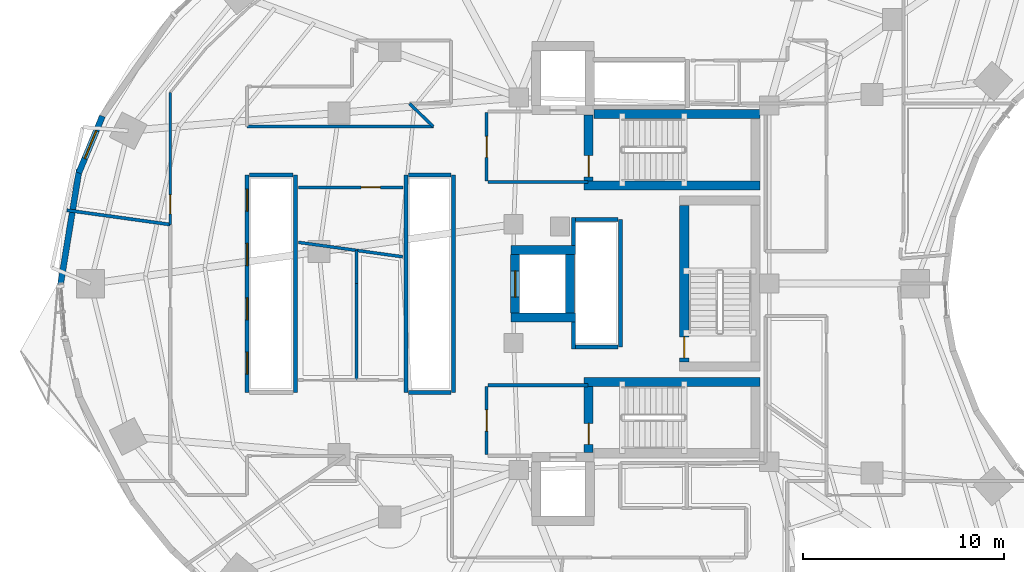
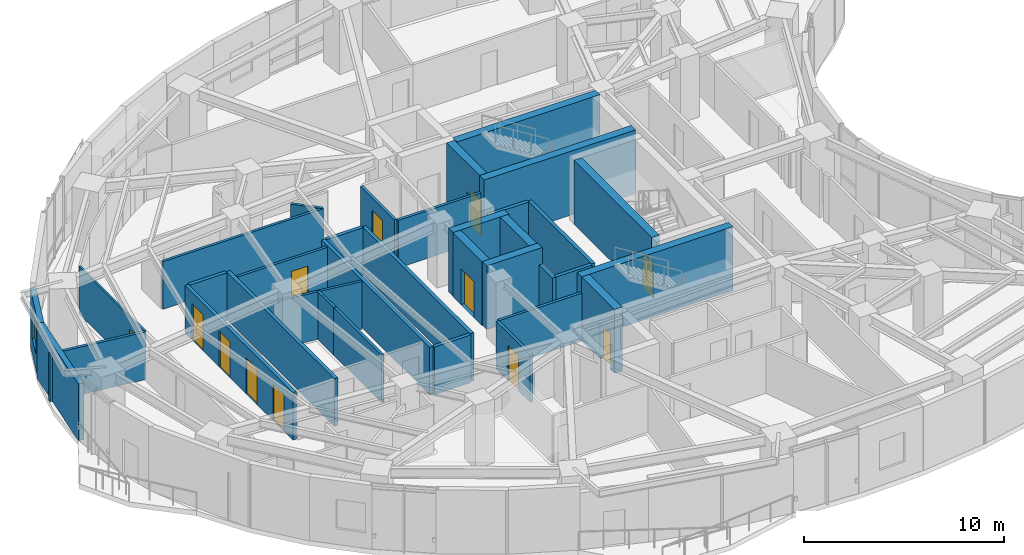
# One storey, part 9 of 16: 37 walls, 12 doors, 1 window, 13 openings.
"""IFC4 building model written with IfcOpenShell, lengths in metres."""

from ifc_helpers import new_model, si_unit, direction, frame, frame_2d, origin, place, context, subcontext, project, spatial, rectangle, extrude, material, layer, layer_set, type_object, element, fill, save


model = new_model("IFC4")

# Units and contexts
model_context = context("Model", 3, precision=1e-05, world=origin(), true_north=direction((0.0, 1.0)))
body_context = subcontext(model_context, "Body", "Model", "MODEL_VIEW")
ifc_project = project(units=[si_unit("LENGTHUNIT", "METRE"), si_unit("AREAUNIT", "SQUARE_METRE"), si_unit("VOLUMEUNIT", "CUBIC_METRE"), si_unit("PLANEANGLEUNIT", "RADIAN"), si_unit("MASSUNIT", "GRAM", prefix="KILO")], contexts=[model_context])

# Site, building, storey
site_placement = place(None, origin())
site = spatial("IfcSite", under=ifc_project, at=site_placement, CompositionType="ELEMENT")
building_placement = place(site_placement, origin())
building = spatial("IfcBuilding", under=site, at=building_placement, Name="Korentha Bioscience Tower", CompositionType="ELEMENT")
storey_placement = place(building_placement, frame((0.0, 0.0, 55.199951171875)))
storey = spatial("IfcBuildingStorey", under=building, at=storey_placement, Name="L12", CompositionType="ELEMENT", Elevation=55.199951171875)

# Wall, opening, door
ifc_material_1 = material(Name="Double-Stud Acoustic Gypsum", Category="gypsum")
ifc_layer_1 = layer(ifc_material_1, 0.14990234375, Name="Double-Stud Acoustic Gypsum")
ifc_layer_set_1 = layer_set([ifc_layer_1], Name="Double-Stud Acoustic Gypsum (IW-L150)")
wall_type_1 = type_object("IfcWallType", Name="Acoustic Laboratory Partition Wall 150", PredefinedType="PARTITIONING", material=ifc_layer_set_1)
wall_1_placement = place(storey_placement, frame((14.159912109375, 31.7900390625, 0.0), z_axis=(0.0, 0.0, 1.0), x_axis=(1.0, 0.0, 0.0)))
wall_1 = element("IfcWall", 1, at=wall_1_placement, inside=storey, type_object=wall_type_1, Name="L12 Staff Kitchenette and Dining Nook 20 Entrance Wall", PredefinedType="PARTITIONING", context=body_context, shape_type="SweptSolid", body=[
    extrude(rectangle(XDim=5.18017578125, YDim=0.14990234375, at=frame_2d((2.590087890625, 0.0))), origin(), (0.0, 0.0, 1.0), 2.91015625),
])
opening_1_placement = place(wall_1_placement, frame((3.112060546875, 0.0, 0.0)))
opening_1 = element("IfcOpeningElement", 2, at=opening_1_placement, cuts=wall_1, Name="Opening ID-10R", PredefinedType="OPENING", context=body_context, shape_type="SweptSolid", body=[
    extrude(rectangle(XDim=0.949951171875, YDim=2.14990234375, at=frame_2d((0.47509765625, 1.074951171875))), frame((0.0, 0.08984375, 0.0), z_axis=(0.0, -1.0, 0.0), x_axis=(1.0, 0.0, 0.0)), (0.0, 0.0, 1.0), 0.1796875),
])
ifc_material_2 = material(Name="Phenolic Laminate Timber Core", Category="wood")
door_type_1 = type_object("IfcDoorType", Name="Laboratory Single Leaf Door 950x2150 Right", OperationType="SINGLE_SWING_RIGHT", PredefinedType="DOOR", material=ifc_material_2)
door_1_placement = place(opening_1_placement, origin())
door_1 = element("IfcDoor", 3, at=door_1_placement, inside=storey, type_object=door_type_1, Name="L12 Staff Kitchenette and Dining Nook 20 Door", OperationType="SINGLE_SWING_RIGHT", OverallHeight=2.14990234375, OverallWidth=0.949951171875, PredefinedType="DOOR", context=body_context, shape_type="SweptSolid", body=[
    extrude(rectangle(XDim=0.949951171875, YDim=2.14990234375, at=frame_2d((0.47509765625, 1.074951171875))), frame((0.0, 0.02490234375, 0.0), z_axis=(0.0, -1.0, 0.0), x_axis=(1.0, 0.0, 0.0)), (0.0, 0.0, 1.0), 0.050048828125),
])
fill(opening_1, door_1)

# Walls
wall_2_placement = place(storey_placement, frame((14.16015625, 29.053466796875, 0.0), z_axis=(0.0, 0.0, 1.0), x_axis=(0.990512548381, -0.137422310779, 0.0)))
element("IfcWall", 4, at=wall_2_placement, inside=storey, type_object=wall_type_1, Name="L12 Interior Partition 028", PredefinedType="PARTITIONING", context=body_context, shape_type="SweptSolid", body=[
    extrude(rectangle(XDim=2.915283203125, YDim=0.14990234375, at=frame_2d((1.45751953125, 0.0))), origin(), (0.0, 0.0, 1.0), 2.91015625),
])
wall_3_placement = place(storey_placement, frame((17.048095703125, 28.652587890625, 0.0), z_axis=(0.0, 0.0, 1.0), x_axis=(0.0, -1.0, 0.0)))
element("IfcWall", 5, at=wall_3_placement, inside=storey, type_object=wall_type_1, Name="L12 Interior Partition 029", PredefinedType="PARTITIONING", context=body_context, shape_type="SweptSolid", body=[
    extrude(rectangle(XDim=1.650390625, YDim=0.14990234375, at=frame_2d((0.8251953125, 0.0))), origin(), (0.0, 0.0, 1.0), 2.91015625),
])
wall_4_placement = place(storey_placement, frame((17.048095703125, 26.997802734375, 0.0), z_axis=(0.0, 0.0, 1.0), x_axis=(0.0, -1.0, 0.0)))
element("IfcWall", 6, at=wall_4_placement, inside=storey, type_object=wall_type_1, Name="L12 Interior Partition 030", PredefinedType="PARTITIONING", context=body_context, shape_type="SweptSolid", body=[
    extrude(rectangle(XDim=4.787841796875, YDim=0.14990234375, at=frame_2d((2.39404296875, 0.0))), origin(), (0.0, 0.0, 1.0), 2.91015625),
])
wall_5_placement = place(storey_placement, frame((17.05810546875, 28.6513671875, 0.0), z_axis=(0.0, 0.0, 1.0), x_axis=(0.99050751053, -0.137458617714, 0.0)))
element("IfcWall", 7, at=wall_5_placement, inside=storey, type_object=wall_type_1, Name="L12 Interior Partition 034", PredefinedType="PARTITIONING", context=body_context, shape_type="SweptSolid", body=[
    extrude(rectangle(XDim=2.3037109375, YDim=0.14990234375, at=frame_2d((1.15185546875, 0.0))), origin(), (0.0, 0.0, 1.0), 2.91015625),
])
wall_6_placement = place(storey_placement, frame((19.67529296875, 35.945068359375, 0.0), z_axis=(0.0, 0.0, 1.0), x_axis=(0.720620963524, -0.693329234152, 0.0)))
element("IfcWall", 8, at=wall_6_placement, inside=storey, type_object=wall_type_1, Name="L12 Interior Partition 091", PredefinedType="PARTITIONING", context=body_context, shape_type="SweptSolid", body=[
    extrude(rectangle(XDim=1.636962890625, YDim=0.14990234375, at=frame_2d((0.818359375, 0.0))), origin(), (0.0, 0.0, 1.0), 2.91015625),
])
wall_7_placement = place(storey_placement, frame((20.85498046875, 34.81005859375, 0.0), z_axis=(0.0, 0.0, 1.0), x_axis=(-1.0, 0.0, 0.0)))
element("IfcWall", 9, at=wall_7_placement, inside=storey, type_object=wall_type_1, Name="L12 Interior Partition 092", PredefinedType="PARTITIONING", context=body_context, shape_type="SweptSolid", body=[
    extrude(rectangle(XDim=9.264892578125, YDim=0.14990234375, at=frame_2d((4.63232421875, 0.0))), origin(), (0.0, 0.0, 1.0), 2.91015625),
])

# Wall, opening, door
ifc_material_3 = material(Name="Fire-Rated Framed Glass", Category="glass")
ifc_layer_2 = layer(ifc_material_3, 0.110107421875, Name="Fire-Rated Framed Glass")
ifc_layer_set_2 = layer_set([ifc_layer_2], Name="Fire-Rated Framed Glass (IW-G110)")
wall_type_2 = type_object("IfcWallType", Name="Demountable Glazed Office Partition 110", PredefinedType="MOVABLE", material=ifc_layer_set_2)
wall_8_placement = place(storey_placement, frame((7.7900390625, 36.501220703125, 0.0), z_axis=(0.0, 0.0, 1.0), x_axis=(0.0, -1.0, 0.0)))
wall_8 = element("IfcWall", 10, at=wall_8_placement, inside=storey, type_object=wall_type_2, Name="L12 Colloquium Huddle Room 19 Entrance Wall", PredefinedType="MOVABLE", context=body_context, shape_type="SweptSolid", body=[
    extrude(rectangle(XDim=6.5537109375, YDim=0.110107421875, at=frame_2d((3.27685546875, 0.0))), origin(), (0.0, 0.0, 1.0), 2.91015625),
])
opening_2_placement = place(wall_8_placement, frame((5.083251953125, 0.0, 0.0)))
opening_2 = element("IfcOpeningElement", 11, at=opening_2_placement, cuts=wall_8, Name="Opening ID-10L", PredefinedType="OPENING", context=body_context, shape_type="SweptSolid", body=[
    extrude(rectangle(XDim=0.949951171875, YDim=2.14990234375, at=frame_2d((0.47509765625, 1.074951171875))), frame((0.0, 0.06982421875, 0.0), z_axis=(0.0, -1.0, 0.0), x_axis=(1.0, 0.0, 0.0)), (0.0, 0.0, 1.0), 0.139892578125),
])
door_type_2 = type_object("IfcDoorType", Name="Laboratory Single Leaf Door 950x2150 Left", OperationType="SINGLE_SWING_LEFT", PredefinedType="DOOR", material=ifc_material_2)
door_2_placement = place(opening_2_placement, origin())
door_2 = element("IfcDoor", 12, at=door_2_placement, inside=storey, type_object=door_type_2, Name="L12 Colloquium Huddle Room 19 Door", OperationType="SINGLE_SWING_LEFT", OverallHeight=2.14990234375, OverallWidth=0.949951171875, PredefinedType="DOOR", context=body_context, shape_type="SweptSolid", body=[
    extrude(rectangle(XDim=0.949951171875, YDim=2.14990234375, at=frame_2d((0.47509765625, 1.074951171875))), frame((0.0, 0.02490234375, 0.0), z_axis=(0.0, -1.0, 0.0), x_axis=(1.0, 0.0, 0.0)), (0.0, 0.0, 1.0), 0.050048828125),
])
fill(opening_2, door_2)

ifc_material_4 = material(Name="Gypsum-Clad Steel Stud", Category="steel")
ifc_layer_3 = layer(ifc_material_4, 0.159912109375, Name="Gypsum-Clad Steel Stud")
ifc_layer_set_3 = layer_set([ifc_layer_3], Name="Gypsum-Clad Steel Stud (IW-C160)")
wall_type_3 = type_object("IfcWallType", Name="Fire-Rated Corridor Partition Wall 160", PredefinedType="PARTITIONING", material=ifc_layer_set_3)
wall_9_placement = place(storey_placement, frame((23.5, 32.10009765625, 0.0), z_axis=(0.0, 0.0, 1.0), x_axis=(0.0, 1.0, 0.0)))
wall_9 = element("IfcWall", 13, at=wall_9_placement, inside=storey, type_object=wall_type_3, Name="L12 FFLN-CW Rated Enclosure Wall", PredefinedType="PARTITIONING", context=body_context, shape_type="SweptSolid", body=[
    extrude(rectangle(XDim=3.39990234375, YDim=0.159912109375, at=frame_2d((1.699951171875, 0.0))), origin(), (0.0, 0.0, 1.0), 2.91015625),
])
opening_3_placement = place(wall_9_placement, frame((1.175048828125, 0.0, 0.0)))
opening_3 = element("IfcOpeningElement", 14, at=opening_3_placement, cuts=wall_9, Name="Opening FD-90L", PredefinedType="OPENING", context=body_context, shape_type="SweptSolid", body=[
    extrude(rectangle(XDim=1.050048828125, YDim=2.14990234375, at=frame_2d((0.52490234375, 1.074951171875))), frame((0.0, 0.0947265625, 0.0), z_axis=(0.0, -1.0, 0.0), x_axis=(1.0, 0.0, 0.0)), (0.0, 0.0, 1.0), 0.189697265625),
])
ifc_material_5 = material(Name="Powder-Coated Fire-Rated Steel", Category="steel")
door_type_3 = type_object("IfcDoorType", Name="Stairwell Fire Exit Door 1050x2150 Left", OperationType="SINGLE_SWING_LEFT", PredefinedType="DOOR", material=ifc_material_5)
door_3_placement = place(opening_3_placement, origin())
door_3 = element("IfcDoor", 15, at=door_3_placement, inside=storey, type_object=door_type_3, Name="L12 North Firefighting Lobby Door", OperationType="SINGLE_SWING_LEFT", OverallHeight=2.14990234375, OverallWidth=1.050048828125, PredefinedType="DOOR", context=body_context, shape_type="SweptSolid", body=[
    extrude(rectangle(XDim=1.050048828125, YDim=2.14990234375, at=frame_2d((0.52490234375, 1.074951171875))), frame((0.0, 0.02490234375, 0.0), z_axis=(0.0, -1.0, 0.0), x_axis=(1.0, 0.0, 0.0)), (0.0, 0.0, 1.0), 0.050048828125),
])
fill(opening_3, door_3)

wall_10_placement = place(storey_placement, frame((23.5, 18.5, 0.0), z_axis=(0.0, 0.0, 1.0), x_axis=(0.0, 1.0, 0.0)))
wall_10 = element("IfcWall", 16, at=wall_10_placement, inside=storey, type_object=wall_type_3, Name="L12 FFLS-CW Rated Enclosure Wall", PredefinedType="PARTITIONING", context=body_context, shape_type="SweptSolid", body=[
    extrude(rectangle(XDim=3.39990234375, YDim=0.159912109375, at=frame_2d((1.699951171875, 0.0))), origin(), (0.0, 0.0, 1.0), 2.91015625),
])
opening_4_placement = place(wall_10_placement, frame((1.175048828125, 0.0, 0.0)))
opening_4 = element("IfcOpeningElement", 17, at=opening_4_placement, cuts=wall_10, Name="Opening FD-90L", PredefinedType="OPENING", context=body_context, shape_type="SweptSolid", body=[
    extrude(rectangle(XDim=1.050048828125, YDim=2.14990234375, at=frame_2d((0.52490234375, 1.074951171875))), frame((0.0, 0.0947265625, 0.0), z_axis=(0.0, -1.0, 0.0), x_axis=(1.0, 0.0, 0.0)), (0.0, 0.0, 1.0), 0.189697265625),
])
door_4_placement = place(opening_4_placement, origin())
door_4 = element("IfcDoor", 18, at=door_4_placement, inside=storey, type_object=door_type_3, Name="L12 South Firefighting Lobby Door", OperationType="SINGLE_SWING_LEFT", OverallHeight=2.14990234375, OverallWidth=1.050048828125, PredefinedType="DOOR", context=body_context, shape_type="SweptSolid", body=[
    extrude(rectangle(XDim=1.050048828125, YDim=2.14990234375, at=frame_2d((0.52490234375, 1.074951171875))), frame((0.0, 0.02490234375, 0.0), z_axis=(0.0, -1.0, 0.0), x_axis=(1.0, 0.0, 0.0)), (0.0, 0.0, 1.0), 0.050048828125),
])
fill(opening_4, door_4)

# Walls
for number, where, z_axis, x_axis, name in (
    (19, (23.580078125, 32.050048828125, 0.0), (0.0, 0.0, 1.0), (1.0, 0.0, 0.0), "L12 Firefighting Lobby Return Wall FFLN-S"),
    (20, (23.580078125, 21.949951171875, 0.0), (0.0, 0.0, 1.0), (1.0, 0.0, 0.0), "L12 Firefighting Lobby Return Wall FFLS-N"),
):
    element("IfcWall", number, at=place(storey_placement, frame(where, z_axis=z_axis, x_axis=x_axis)), inside=storey, type_object=wall_type_3, Name=name, PredefinedType="PARTITIONING", context=body_context, shape_type="SweptSolid", body=[
        extrude(rectangle(XDim=4.969970703125, YDim=0.159912109375, at=frame_2d((2.48486328125, 0.0))), origin(), (0.0, 0.0, 1.0), 2.91015625),
    ])
wall_11_placement = place(storey_placement, frame((2.653076171875, 30.650146484375, 0.0), z_axis=(0.0, 0.0, 1.0), x_axis=(0.990513820913, -0.137413138313, 0.0)))
element("IfcWall", 21, at=wall_11_placement, inside=storey, type_object=wall_type_3, Name="L12 Interior Partition 031", PredefinedType="PARTITIONING", context=body_context, shape_type="SweptSolid", body=[
    extrude(rectangle(XDim=5.186279296875, YDim=0.159912109375, at=frame_2d((2.59326171875, 0.0))), origin(), (0.0, 0.0, 1.0), 2.91015625),
])

# Wall, opening, window
ifc_material_6 = material(Name="Honed Limestone Precast Concrete C40", Category="masonry")
ifc_layer_4 = layer(ifc_material_6, 0.300048828125, Name="Honed Limestone Precast Concrete C40")
ifc_layer_set_4 = layer_set([ifc_layer_4], Name="Honed Limestone Precast Concrete C40 (EW-ST300)")
wall_type_4 = type_object("IfcWallType", Name="Honed Limestone Cavity Spandrel Wall 300", PredefinedType="STANDARD", material=ifc_layer_set_4)
wall_12_placement = place(storey_placement, frame((4.4169921875, 35.322998046875, 0.0), z_axis=(0.0, 0.0, 1.0), x_axis=(-0.385358473275, -0.92276695166, 0.0)))
wall_12 = element("IfcWall", 22, at=wall_12_placement, inside=storey, type_object=wall_type_4, Name="L12 Honed Limestone Spandrel Wall 16", PredefinedType="STANDARD", context=body_context, shape_type="SweptSolid", body=[
    extrude(rectangle(XDim=3.0556640625, YDim=0.300048828125, at=frame_2d((1.52783203125, 0.0))), origin(), (0.0, 0.0, 1.0), 3.469970703125),
])
opening_5_placement = place(wall_12_placement, frame((0.777587890625, 0.0, 0.949951171875)))
opening_5 = element("IfcOpeningElement", 23, at=opening_5_placement, cuts=wall_12, Name="Opening WN-02", PredefinedType="OPENING", context=body_context, shape_type="SweptSolid", body=[
    extrude(rectangle(XDim=1.5, YDim=1.800048828125, at=frame_2d((0.75, 0.89990234375))), frame((0.0, 0.1650390625, 0.0), z_axis=(0.0, -1.0, 0.0), x_axis=(1.0, 0.0, 0.0)), (0.0, 0.0, 1.0), 0.329833984375),
])
ifc_material_7 = material(Name="Thermally Broken Aluminium Triple Glazing", Category="aluminium")
window_type = type_object("IfcWindowType", Name="Acoustic Operable Office Window 1500x1800", PartitioningType="DOUBLE_PANEL_VERTICAL", PredefinedType="WINDOW", material=ifc_material_7)
window_placement = place(opening_5_placement, origin())
window = element("IfcWindow", 24, at=window_placement, inside=storey, type_object=window_type, Name="L12 Facade Window 16", OverallHeight=1.800048828125, OverallWidth=1.5, PartitioningType="DOUBLE_PANEL_VERTICAL", PredefinedType="WINDOW", context=body_context, shape_type="SweptSolid", body=[
    extrude(rectangle(XDim=1.5, YDim=1.800048828125, at=frame_2d((0.75, 0.89990234375))), frame((0.0, 0.030029296875, 0.0), z_axis=(0.0, -1.0, 0.0), x_axis=(1.0, 0.0, 0.0)), (0.0, 0.0, 1.0), 0.06005859375),
])
fill(opening_5, window)

# Wall
wall_13_placement = place(storey_placement, frame((3.26611328125, 32.677001953125, 0.0), z_axis=(0.0, 0.0, 1.0), x_axis=(-0.160712446639, -0.987001271273, 0.0)))
element("IfcWall", 25, at=wall_13_placement, inside=storey, type_object=wall_type_4, Name="L12 Limestone Perimeter Closure Wall 17", PredefinedType="STANDARD", context=body_context, shape_type="SweptSolid", body=[
    extrude(rectangle(XDim=5.854736328125, YDim=0.300048828125, at=frame_2d((2.92724609375, 0.0))), origin(), (0.0, 0.0, 1.0), 3.469970703125),
])

# Wall, openings, doors
ifc_material_8 = material(Name="Autoclaved Aerated Concrete Block C25", Category="concrete")
ifc_layer_5 = layer(ifc_material_8, 0.199951171875, Name="Autoclaved Aerated Concrete Block C25")
ifc_layer_set_5 = layer_set([ifc_layer_5], Name="Autoclaved Aerated Concrete Block C25 (IW-S200)")
wall_type_5 = type_object("IfcWallType", Name="Lift and Riser Shaft Enclosure Wall 200", PredefinedType="PARTITIONING", material=ifc_layer_set_5)
wall_14_placement = place(storey_placement, frame((11.60009765625, 21.60009765625, 0.0), z_axis=(0.0, 0.0, 1.0), x_axis=(0.0, 1.0, 0.0)))
wall_14 = element("IfcWall", 26, at=wall_14_placement, inside=storey, type_object=wall_type_5, Name="L12 Lift Bank LOW Shaft Wall -X", PredefinedType="PARTITIONING", context=body_context, shape_type="SweptSolid", body=[
    extrude(rectangle(XDim=10.7998046875, YDim=0.199951171875, at=frame_2d((5.39990234375, 0.0))), origin(), (0.0, 0.0, 1.0), 2.91015625),
])
opening_6_placement = place(wall_14_placement, frame((0.89990234375, 0.0, 0.0)))
opening_6 = element("IfcOpeningElement", 27, at=opening_6_placement, cuts=wall_14, Name="Opening LD-11", PredefinedType="OPENING", context=body_context, shape_type="SweptSolid", body=[
    extrude(rectangle(XDim=1.10009765625, YDim=2.199951171875, at=frame_2d((0.550048828125, 1.10009765625))), frame((0.0, 0.11474609375, 0.0), z_axis=(0.0, -1.0, 0.0), x_axis=(1.0, 0.0, 0.0)), (0.0, 0.0, 1.0), 0.229736328125),
])
opening_7_placement = place(wall_14_placement, frame((3.60009765625, 0.0, 0.0)))
opening_7 = element("IfcOpeningElement", 28, at=opening_7_placement, cuts=wall_14, Name="Opening LD-11", PredefinedType="OPENING", context=body_context, shape_type="SweptSolid", body=[
    extrude(rectangle(XDim=1.10009765625, YDim=2.199951171875, at=frame_2d((0.550048828125, 1.10009765625))), frame((0.0, 0.11474609375, 0.0), z_axis=(0.0, -1.0, 0.0), x_axis=(1.0, 0.0, 0.0)), (0.0, 0.0, 1.0), 0.229736328125),
])
opening_8_placement = place(wall_14_placement, frame((6.300048828125, 0.0, 0.0)))
opening_8 = element("IfcOpeningElement", 29, at=opening_8_placement, cuts=wall_14, Name="Opening LD-11", PredefinedType="OPENING", context=body_context, shape_type="SweptSolid", body=[
    extrude(rectangle(XDim=1.10009765625, YDim=2.199951171875, at=frame_2d((0.550048828125, 1.10009765625))), frame((0.0, 0.11474609375, 0.0), z_axis=(0.0, -1.0, 0.0), x_axis=(1.0, 0.0, 0.0)), (0.0, 0.0, 1.0), 0.229736328125),
])
opening_9_placement = place(wall_14_placement, frame((9.0, 0.0, 0.0)))
opening_9 = element("IfcOpeningElement", 30, at=opening_9_placement, cuts=wall_14, Name="Opening LD-11", PredefinedType="OPENING", context=body_context, shape_type="SweptSolid", body=[
    extrude(rectangle(XDim=1.10009765625, YDim=2.199951171875, at=frame_2d((0.550048828125, 1.10009765625))), frame((0.0, 0.11474609375, 0.0), z_axis=(0.0, -1.0, 0.0), x_axis=(1.0, 0.0, 0.0)), (0.0, 0.0, 1.0), 0.229736328125),
])
ifc_material_9 = material(Name="Brushed Stainless Steel 304", Category="steel")
door_type_4 = type_object("IfcDoorType", Name="Passenger Lift Sliding Landing Door 1100x2200", OperationType="DOUBLE_DOOR_SLIDING", PredefinedType="DOOR", material=ifc_material_9)
door_5_placement = place(opening_6_placement, origin())
door_5 = element("IfcDoor", 31, at=door_5_placement, inside=storey, type_object=door_type_4, Name="L12 PL-L1 Sliding Lift Landing Door", OperationType="DOUBLE_DOOR_SLIDING", OverallHeight=2.199951171875, OverallWidth=1.10009765625, PredefinedType="DOOR", context=body_context, shape_type="SweptSolid", body=[
    extrude(rectangle(XDim=1.10009765625, YDim=2.199951171875, at=frame_2d((0.550048828125, 1.10009765625))), frame((0.0, 0.02490234375, 0.0), z_axis=(0.0, -1.0, 0.0), x_axis=(1.0, 0.0, 0.0)), (0.0, 0.0, 1.0), 0.050048828125),
])
fill(opening_6, door_5)
door_6_placement = place(opening_7_placement, origin())
door_6 = element("IfcDoor", 32, at=door_6_placement, inside=storey, type_object=door_type_4, Name="L12 PL-L2 Sliding Lift Landing Door", OperationType="DOUBLE_DOOR_SLIDING", OverallHeight=2.199951171875, OverallWidth=1.10009765625, PredefinedType="DOOR", context=body_context, shape_type="SweptSolid", body=[
    extrude(rectangle(XDim=1.10009765625, YDim=2.199951171875, at=frame_2d((0.550048828125, 1.10009765625))), frame((0.0, 0.02490234375, 0.0), z_axis=(0.0, -1.0, 0.0), x_axis=(1.0, 0.0, 0.0)), (0.0, 0.0, 1.0), 0.050048828125),
])
fill(opening_7, door_6)
door_7_placement = place(opening_8_placement, origin())
door_7 = element("IfcDoor", 33, at=door_7_placement, inside=storey, type_object=door_type_4, Name="L12 PL-L3 Sliding Lift Landing Door", OperationType="DOUBLE_DOOR_SLIDING", OverallHeight=2.199951171875, OverallWidth=1.10009765625, PredefinedType="DOOR", context=body_context, shape_type="SweptSolid", body=[
    extrude(rectangle(XDim=1.10009765625, YDim=2.199951171875, at=frame_2d((0.550048828125, 1.10009765625))), frame((0.0, 0.02490234375, 0.0), z_axis=(0.0, -1.0, 0.0), x_axis=(1.0, 0.0, 0.0)), (0.0, 0.0, 1.0), 0.050048828125),
])
fill(opening_8, door_7)
door_8_placement = place(opening_9_placement, origin())
door_8 = element("IfcDoor", 34, at=door_8_placement, inside=storey, type_object=door_type_4, Name="L12 PL-L4 Sliding Lift Landing Door", OperationType="DOUBLE_DOOR_SLIDING", OverallHeight=2.199951171875, OverallWidth=1.10009765625, PredefinedType="DOOR", context=body_context, shape_type="SweptSolid", body=[
    extrude(rectangle(XDim=1.10009765625, YDim=2.199951171875, at=frame_2d((0.550048828125, 1.10009765625))), frame((0.0, 0.02490234375, 0.0), z_axis=(0.0, -1.0, 0.0), x_axis=(1.0, 0.0, 0.0)), (0.0, 0.0, 1.0), 0.050048828125),
])
fill(opening_9, door_8)

# Walls
wall_15_placement = place(storey_placement, frame((14.0, 21.60009765625, 0.0), z_axis=(0.0, 0.0, 1.0), x_axis=(0.0, 1.0, 0.0)))
element("IfcWall", 35, at=wall_15_placement, inside=storey, type_object=wall_type_5, Name="L12 Lift Bank LOW Shaft Wall +X", PredefinedType="PARTITIONING", context=body_context, shape_type="SweptSolid", body=[
    extrude(rectangle(XDim=10.7998046875, YDim=0.199951171875, at=frame_2d((5.39990234375, 0.0))), origin(), (0.0, 0.0, 1.0), 2.91015625),
])
wall_16_placement = place(storey_placement, frame((11.719970703125, 32.39990234375, 0.0), z_axis=(0.0, 0.0, 1.0), x_axis=(1.0, 0.0, 0.0)))
element("IfcWall", 36, at=wall_16_placement, inside=storey, type_object=wall_type_5, Name="L12 Lift Bank LOW Shaft Wall +Y", PredefinedType="PARTITIONING", context=body_context, shape_type="SweptSolid", body=[
    extrude(rectangle(XDim=2.159912109375, YDim=0.199951171875, at=frame_2d((1.080078125, 0.0))), origin(), (0.0, 0.0, 1.0), 2.91015625),
])
for number, where, z_axis, x_axis, name in (
    (37, (19.5, 21.60009765625, 0.0), (0.0, 0.0, 1.0), (0.0, 1.0, 0.0), "L12 Lift Bank MID Shaft Wall -X"),
    (38, (21.85009765625, 21.60009765625, 0.0), (0.0, 0.0, 1.0), (0.0, 1.0, 0.0), "L12 Lift Bank MID Shaft Wall +X"),
):
    element("IfcWall", number, at=place(storey_placement, frame(where, z_axis=z_axis, x_axis=x_axis)), inside=storey, type_object=wall_type_5, Name=name, PredefinedType="PARTITIONING", context=body_context, shape_type="SweptSolid", body=[
        extrude(rectangle(XDim=10.7998046875, YDim=0.199951171875, at=frame_2d((5.39990234375, 0.0))), origin(), (0.0, 0.0, 1.0), 2.91015625),
    ])
for number, where, z_axis, x_axis, name in (
    (39, (19.6201171875, 21.60009765625, 0.0), (0.0, 0.0, 1.0), (1.0, 0.0, 0.0), "L12 Lift Bank MID Shaft Wall -Y"),
    (40, (19.6201171875, 32.39990234375, 0.0), (0.0, 0.0, 1.0), (1.0, 0.0, 0.0), "L12 Lift Bank MID Shaft Wall +Y"),
):
    element("IfcWall", number, at=place(storey_placement, frame(where, z_axis=z_axis, x_axis=x_axis)), inside=storey, type_object=wall_type_5, Name=name, PredefinedType="PARTITIONING", context=body_context, shape_type="SweptSolid", body=[
        extrude(rectangle(XDim=2.10986328125, YDim=0.199951171875, at=frame_2d((1.054931640625, 0.0))), origin(), (0.0, 0.0, 1.0), 2.91015625),
    ])
wall_17_placement = place(storey_placement, frame((27.830078125, 23.75, 0.0), z_axis=(0.0, 0.0, 1.0), x_axis=(0.0, 1.0, 0.0)))
element("IfcWall", 41, at=wall_17_placement, inside=storey, type_object=wall_type_5, Name="L12 Lift Bank HIGH Shaft Wall -XS", PredefinedType="PARTITIONING", context=body_context, shape_type="SweptSolid", body=[
    extrude(rectangle(XDim=1.341064453125, YDim=0.199951171875, at=frame_2d((0.67041015625, 0.0))), origin(), (0.0, 0.0, 1.0), 2.91015625),
])
wall_18_placement = place(storey_placement, frame((27.830078125, 28.908935546875, 0.0), z_axis=(0.0, 0.0, 1.0), x_axis=(0.0, 1.0, 0.0)))
element("IfcWall", 42, at=wall_18_placement, inside=storey, type_object=wall_type_5, Name="L12 Lift Bank HIGH Shaft Wall -XN", PredefinedType="PARTITIONING", context=body_context, shape_type="SweptSolid", body=[
    extrude(rectangle(XDim=1.39111328125, YDim=0.199951171875, at=frame_2d((0.695556640625, 0.0))), origin(), (0.0, 0.0, 1.0), 2.91015625),
])
wall_19_placement = place(storey_placement, frame((30.14990234375, 23.85009765625, 0.0), z_axis=(0.0, 0.0, 1.0), x_axis=(0.0, 1.0, 0.0)))
element("IfcWall", 43, at=wall_19_placement, inside=storey, type_object=wall_type_5, Name="L12 Lift Bank HIGH Shaft Wall +X", PredefinedType="PARTITIONING", context=body_context, shape_type="SweptSolid", body=[
    extrude(rectangle(XDim=6.349853515625, YDim=0.199951171875, at=frame_2d((3.1748046875, 0.0))), origin(), (0.0, 0.0, 1.0), 2.91015625),
])
for number, where, z_axis, x_axis, name in (
    (44, (27.93408203125, 23.85009765625, 0.0), (0.0, 0.0, 1.0), (1.0, 0.0, 0.0), "L12 Lift Bank HIGH Shaft Wall -Y"),
    (45, (27.93408203125, 30.199951171875, 0.0), (0.0, 0.0, 1.0), (1.0, 0.0, 0.0), "L12 Lift Bank HIGH Shaft Wall +Y"),
):
    element("IfcWall", number, at=place(storey_placement, frame(where, z_axis=z_axis, x_axis=x_axis)), inside=storey, type_object=wall_type_5, Name=name, PredefinedType="PARTITIONING", context=body_context, shape_type="SweptSolid", body=[
        extrude(rectangle(XDim=2.095947265625, YDim=0.199951171875, at=frame_2d((1.0478515625, 0.0))), origin(), (0.0, 0.0, 1.0), 2.91015625),
    ])
ifc_material_10 = material(Name="Concrete C80", Category="concrete")
ifc_layer_6 = layer(ifc_material_10, 0.449951171875, Name="Concrete C80")
ifc_layer_set_6 = layer_set([ifc_layer_6], Name="Concrete C80 (CW-C80)")
wall_type_6 = type_object("IfcWallType", Name="Lower Core Shear Wall 450", PredefinedType="SHEAR", material=ifc_layer_set_6)
wall_20_placement = place(storey_placement, frame((28.85205078125, 35.425048828125, 0.0), z_axis=(0.0, 0.0, 1.0), x_axis=(1.0, 0.0, 0.0)))
element("IfcWall", 46, at=wall_20_placement, inside=storey, type_object=wall_type_6, Name="L12 Core Shear Wall ST1-N", PredefinedType="SHEAR", context=body_context, shape_type="SweptSolid", body=[
    extrude(rectangle(XDim=8.248046875, YDim=0.449951171875, at=frame_2d((4.1240234375, 0.0))), origin(), (0.0, 0.0, 1.0), 3.900146484375),
])
wall_21_placement = place(storey_placement, frame((28.35009765625, 31.875, 0.0), z_axis=(0.0, 0.0, 1.0), x_axis=(1.0, 0.0, 0.0)))
element("IfcWall", 47, at=wall_21_placement, inside=storey, type_object=wall_type_6, Name="L12 Core Shear Wall ST1-S", PredefinedType="SHEAR", context=body_context, shape_type="SweptSolid", body=[
    extrude(rectangle(XDim=8.75, YDim=0.449951171875, at=frame_2d((4.375, 0.0))), origin(), (0.0, 0.0, 1.0), 3.900146484375),
])

# Wall, opening, door
wall_22_placement = place(storey_placement, frame((28.574951171875, 32.110107421875, 0.0), z_axis=(0.0, 0.0, 1.0), x_axis=(0.0, 1.0, 0.0)))
wall_22 = element("IfcWall", 48, at=wall_22_placement, inside=storey, type_object=wall_type_6, Name="L12 Core Shear Wall ST1-W", PredefinedType="SHEAR", context=body_context, shape_type="SweptSolid", body=[
    extrude(rectangle(XDim=3.282958984375, YDim=0.449951171875, at=frame_2d((1.6416015625, 0.0))), origin(), (0.0, 0.0, 1.0), 3.900146484375),
])
opening_10_placement = place(wall_22_placement, frame((0.199951171875, 0.0, 0.0)))
opening_10 = element("IfcOpeningElement", 49, at=opening_10_placement, cuts=wall_22, Name="Opening FD-90L", PredefinedType="OPENING", context=body_context, shape_type="SweptSolid", body=[
    extrude(rectangle(XDim=1.050048828125, YDim=2.14990234375, at=frame_2d((0.52490234375, 1.074951171875))), frame((0.0, 0.23974609375, 0.0), z_axis=(0.0, -1.0, 0.0), x_axis=(1.0, 0.0, 0.0)), (0.0, 0.0, 1.0), 0.479736328125),
])
door_9_placement = place(opening_10_placement, origin())
door_9 = element("IfcDoor", 50, at=door_9_placement, inside=storey, type_object=door_type_3, Name="L12 ST-1 Fire Exit Stair Door", OperationType="SINGLE_SWING_LEFT", OverallHeight=2.14990234375, OverallWidth=1.050048828125, PredefinedType="DOOR", context=body_context, shape_type="SweptSolid", body=[
    extrude(rectangle(XDim=1.050048828125, YDim=2.14990234375, at=frame_2d((0.52490234375, 1.074951171875))), frame((0.0, 0.02490234375, 0.0), z_axis=(0.0, -1.0, 0.0), x_axis=(1.0, 0.0, 0.0)), (0.0, 0.0, 1.0), 0.050048828125),
])
fill(opening_10, door_9)

# Wall
wall_23_placement = place(storey_placement, frame((28.35009765625, 22.125, 0.0), z_axis=(0.0, 0.0, 1.0), x_axis=(1.0, 0.0, 0.0)))
element("IfcWall", 51, at=wall_23_placement, inside=storey, type_object=wall_type_6, Name="L12 Core Shear Wall ST2-N", PredefinedType="SHEAR", context=body_context, shape_type="SweptSolid", body=[
    extrude(rectangle(XDim=8.75, YDim=0.449951171875, at=frame_2d((4.375, 0.0))), origin(), (0.0, 0.0, 1.0), 3.900146484375),
])

# Wall, opening, door
wall_24_placement = place(storey_placement, frame((28.574951171875, 18.60693359375, 0.0), z_axis=(0.0, 0.0, 1.0), x_axis=(0.0, 1.0, 0.0)))
wall_24 = element("IfcWall", 52, at=wall_24_placement, inside=storey, type_object=wall_type_6, Name="L12 Core Shear Wall ST2-W", PredefinedType="SHEAR", context=body_context, shape_type="SweptSolid", body=[
    extrude(rectangle(XDim=3.282958984375, YDim=0.449951171875, at=frame_2d((1.6416015625, 0.0))), origin(), (0.0, 0.0, 1.0), 3.900146484375),
])
opening_11_placement = place(wall_24_placement, frame((0.403076171875, 0.0, 0.0)))
opening_11 = element("IfcOpeningElement", 53, at=opening_11_placement, cuts=wall_24, Name="Opening FD-90L", PredefinedType="OPENING", context=body_context, shape_type="SweptSolid", body=[
    extrude(rectangle(XDim=1.050048828125, YDim=2.14990234375, at=frame_2d((0.52490234375, 1.074951171875))), frame((0.0, 0.23974609375, 0.0), z_axis=(0.0, -1.0, 0.0), x_axis=(1.0, 0.0, 0.0)), (0.0, 0.0, 1.0), 0.479736328125),
])
door_10_placement = place(opening_11_placement, origin())
door_10 = element("IfcDoor", 54, at=door_10_placement, inside=storey, type_object=door_type_3, Name="L12 ST-2 Fire Exit Stair Door", OperationType="SINGLE_SWING_LEFT", OverallHeight=2.14990234375, OverallWidth=1.050048828125, PredefinedType="DOOR", context=body_context, shape_type="SweptSolid", body=[
    extrude(rectangle(XDim=1.050048828125, YDim=2.14990234375, at=frame_2d((0.52490234375, 1.074951171875))), frame((0.0, 0.02490234375, 0.0), z_axis=(0.0, -1.0, 0.0), x_axis=(1.0, 0.0, 0.0)), (0.0, 0.0, 1.0), 0.050048828125),
])
fill(opening_11, door_10)

wall_25_placement = place(storey_placement, frame((33.324951171875, 23.110107421875, 0.0), z_axis=(0.0, 0.0, 1.0), x_axis=(0.0, 1.0, 0.0)))
wall_25 = element("IfcWall", 55, at=wall_25_placement, inside=storey, type_object=wall_type_6, Name="L12 Core Shear Wall ST3-W", PredefinedType="SHEAR", context=body_context, shape_type="SweptSolid", body=[
    extrude(rectangle(XDim=7.77978515625, YDim=0.449951171875, at=frame_2d((3.889892578125, 0.0))), origin(), (0.0, 0.0, 1.0), 3.900146484375),
])
opening_12_placement = place(wall_25_placement, frame((0.199951171875, 0.0, 0.0)))
opening_12 = element("IfcOpeningElement", 56, at=opening_12_placement, cuts=wall_25, Name="Opening FD-90L", PredefinedType="OPENING", context=body_context, shape_type="SweptSolid", body=[
    extrude(rectangle(XDim=1.050048828125, YDim=2.14990234375, at=frame_2d((0.52490234375, 1.074951171875))), frame((0.0, 0.23974609375, 0.0), z_axis=(0.0, -1.0, 0.0), x_axis=(1.0, 0.0, 0.0)), (0.0, 0.0, 1.0), 0.479736328125),
])
door_11_placement = place(opening_12_placement, origin())
door_11 = element("IfcDoor", 57, at=door_11_placement, inside=storey, type_object=door_type_3, Name="L12 ST-3 Fire Exit Stair Door", OperationType="SINGLE_SWING_LEFT", OverallHeight=2.14990234375, OverallWidth=1.050048828125, PredefinedType="DOOR", context=body_context, shape_type="SweptSolid", body=[
    extrude(rectangle(XDim=1.050048828125, YDim=2.14990234375, at=frame_2d((0.52490234375, 1.074951171875))), frame((0.0, 0.02490234375, 0.0), z_axis=(0.0, -1.0, 0.0), x_axis=(1.0, 0.0, 0.0)), (0.0, 0.0, 1.0), 0.050048828125),
])
fill(opening_12, door_11)

# Walls
for number, where, z_axis, x_axis, name in (
    (58, (24.719970703125, 28.679931640625, 0.0), (0.0, 0.0, 1.0), (1.0, 0.0, 0.0), "L12 Core Shear Wall SVL1-N"),
    (59, (24.719970703125, 25.320068359375, 0.0), (0.0, 0.0, 1.0), (1.0, 0.0, 0.0), "L12 Core Shear Wall SVL1-S"),
):
    element("IfcWall", number, at=place(storey_placement, frame(where, z_axis=z_axis, x_axis=x_axis)), inside=storey, type_object=wall_type_6, Name=name, PredefinedType="SHEAR", context=body_context, shape_type="SweptSolid", body=[
        extrude(rectangle(XDim=3.2099609375, YDim=0.449951171875, at=frame_2d((1.60498046875, 0.0))), origin(), (0.0, 0.0, 1.0), 3.900146484375),
    ])

# Wall, opening, door
wall_26_placement = place(storey_placement, frame((24.919921875, 25.547119140625, 0.0), z_axis=(0.0, 0.0, 1.0), x_axis=(0.0, 1.0, 0.0)))
wall_26 = element("IfcWall", 60, at=wall_26_placement, inside=storey, type_object=wall_type_6, Name="L12 Core Shear Wall SVL1-W", PredefinedType="SHEAR", context=body_context, shape_type="SweptSolid", body=[
    extrude(rectangle(XDim=2.90576171875, YDim=0.449951171875, at=frame_2d((1.452880859375, 0.0))), origin(), (0.0, 0.0, 1.0), 3.900146484375),
])
opening_13_placement = place(wall_26_placement, frame((0.7900390625, 0.0, 0.0)))
opening_13 = element("IfcOpeningElement", 61, at=opening_13_placement, cuts=wall_26, Name="Opening LD-13", PredefinedType="OPENING", context=body_context, shape_type="SweptSolid", body=[
    extrude(rectangle(XDim=1.300048828125, YDim=2.199951171875, at=frame_2d((0.64990234375, 1.10009765625))), frame((0.0, 0.23974609375, 0.0), z_axis=(0.0, -1.0, 0.0), x_axis=(1.0, 0.0, 0.0)), (0.0, 0.0, 1.0), 0.479736328125),
])
ifc_material_11 = material(Name="Brushed Stainless Steel 316", Category="steel")
door_type_5 = type_object("IfcDoorType", Name="Service & Firefighting Lift Landing Door 1300x2300", OperationType="DOUBLE_DOOR_SLIDING", PredefinedType="DOOR", material=ifc_material_11)
door_12_placement = place(opening_13_placement, origin())
door_12 = element("IfcDoor", 62, at=door_12_placement, inside=storey, type_object=door_type_5, Name="L12 SVL-1 Sliding Lift Landing Door", OperationType="DOUBLE_DOOR_SLIDING", OverallHeight=2.199951171875, OverallWidth=1.300048828125, PredefinedType="DOOR", context=body_context, shape_type="SweptSolid", body=[
    extrude(rectangle(XDim=1.300048828125, YDim=2.199951171875, at=frame_2d((0.64990234375, 1.10009765625))), frame((0.0, 0.02490234375, 0.0), z_axis=(0.0, -1.0, 0.0), x_axis=(1.0, 0.0, 0.0)), (0.0, 0.0, 1.0), 0.050048828125),
])
fill(opening_13, door_12)

# Wall
wall_27_placement = place(storey_placement, frame((27.64990234375, 25.547119140625, 0.0), z_axis=(0.0, 0.0, 1.0), x_axis=(0.0, 1.0, 0.0)))
element("IfcWall", 63, at=wall_27_placement, inside=storey, type_object=wall_type_6, Name="L12 Core Shear Wall SVL1-E", PredefinedType="SHEAR", context=body_context, shape_type="SweptSolid", body=[
    extrude(rectangle(XDim=2.90576171875, YDim=0.449951171875, at=frame_2d((1.452880859375, 0.0))), origin(), (0.0, 0.0, 1.0), 3.900146484375),
])

save(model, "model.ifc")
